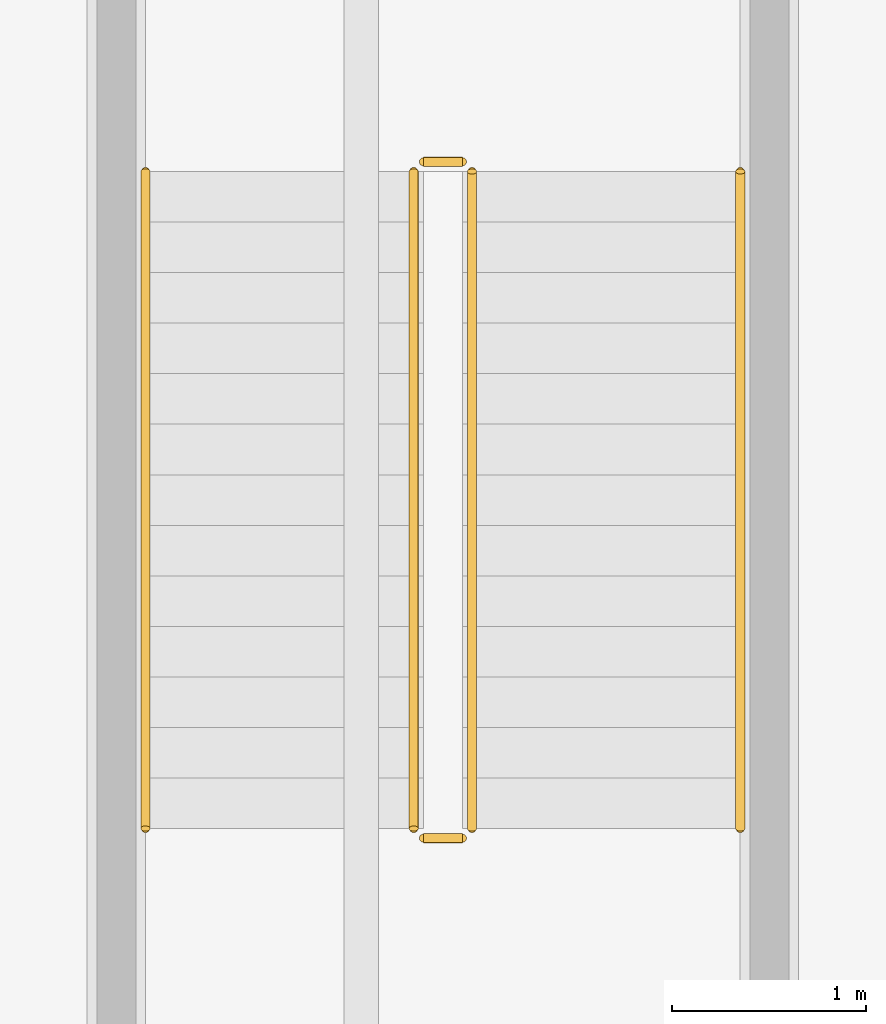
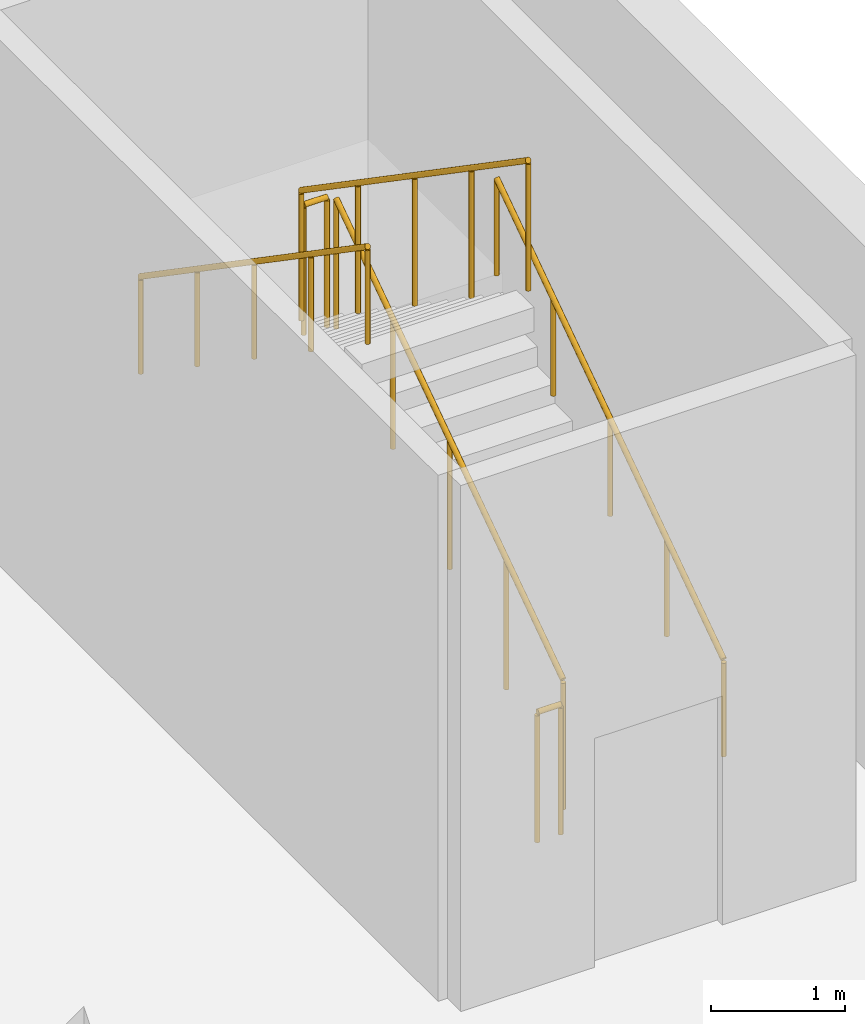
# One storey, part 18 of 18: 6 railings.
"""IFC4 building model written with IfcOpenShell, lengths in metres."""

from ifc_helpers import new_model, si_unit, direction, frame, origin, origin_2d, place, context, subcontext, project, spatial, circle, extrude, material, layer, layer_set, type_object, element, save


model = new_model("IFC4")

# Units and contexts
model_context = context("Model", 3, precision=1e-05, world=origin(), true_north=direction((0.0, 1.0)))
body_context = subcontext(model_context, "Body", "Model", "MODEL_VIEW")
ifc_project = project(units=[si_unit("LENGTHUNIT", "METRE"), si_unit("AREAUNIT", "SQUARE_METRE"), si_unit("VOLUMEUNIT", "CUBIC_METRE"), si_unit("PLANEANGLEUNIT", "RADIAN"), si_unit("MASSUNIT", "GRAM", prefix="KILO")], contexts=[model_context])

# Site, building, storey
site_placement = place(None, origin())
site = spatial("IfcSite", under=ifc_project, at=site_placement, CompositionType="ELEMENT")
building_placement = place(site_placement, origin())
building = spatial("IfcBuilding", under=site, at=building_placement, Name="Noeulbin Bourse Tower", CompositionType="ELEMENT")
storey_placement = place(building_placement, frame((0.0, 0.0, -5.0)))
storey = spatial("IfcBuildingStorey", under=building, at=storey_placement, Name="B01", CompositionType="ELEMENT", Elevation=-5.0)

# Railings
ifc_material_1 = material(Name="Painted Tubular Steel S355", Category="steel")
ifc_layer_1 = layer(ifc_material_1, 0.048095703125)
ifc_layer_set_1 = layer_set([ifc_layer_1], Name="Painted Tubular Steel S355")
railing_type_1 = type_object("IfcRailingType", Name="RLG-STR-GRD", PredefinedType="GUARDRAIL", material=ifc_layer_set_1)
railing_1_placement = place(storey_placement, frame((74.8701171875, 6.8798828125, 0.178466796875)))
element("IfcRailing", 1, at=railing_1_placement, inside=storey, type_object=railing_type_1, Name="B01 MST-1 stair guard 1", PredefinedType="GUARDRAIL", context=body_context, shape_type="SweptSolid", body=[
    extrude(circle(Radius=0.02392578125, at=origin_2d()), frame((0.0, 0.0, 1.17578125), z_axis=(0.0, 0.824304150675, 0.566147213346), x_axis=(-1.0, 0.0, 0.0)), (0.0, 0.0, 1.0), 4.1005859375),
    extrude(circle(Radius=0.02099609375, at=origin_2d()), origin(), (0.0, 0.0, 1.0), 1.15185546875),
    extrude(circle(Radius=0.02099609375, at=origin_2d()), frame((0.0, 0.844970703125, 0.580322265625)), (0.0, 0.0, 1.0), 1.15185546875),
    extrude(circle(Radius=0.02099609375, at=origin_2d()), frame((0.0, 1.68994140625, 1.16064453125)), (0.0, 0.0, 1.0), 1.15185546875),
    extrude(circle(Radius=0.02099609375, at=origin_2d()), frame((0.0, 2.53515625, 1.7412109375)), (0.0, 0.0, 1.0), 1.15185546875),
    extrude(circle(Radius=0.02099609375, at=origin_2d()), frame((0.0, 3.380126953125, 2.321533203125)), (0.0, 0.0, 1.0), 1.15185546875),
])
railing_2_placement = place(storey_placement, frame((74.820068359375, 10.31005859375, 2.5)))
element("IfcRailing", 2, at=railing_2_placement, inside=storey, type_object=railing_type_1, Name="B01 MST-1 stair guard 2", PredefinedType="GUARDRAIL", context=body_context, shape_type="SweptSolid", body=[
    extrude(circle(Radius=0.02392578125, at=origin_2d()), frame((0.0, 0.0, 1.17578125), z_axis=(-1.0, 0.0, 0.0), x_axis=(0.0, -1.0, 0.0)), (0.0, 0.0, 1.0), 0.199951171875),
    extrude(circle(Radius=0.02099609375, at=origin_2d()), origin(), (0.0, 0.0, 1.0), 1.15185546875),
    extrude(circle(Radius=0.02099609375, at=origin_2d()), frame((-0.199951171875, 0.0, 0.0)), (0.0, 0.0, 1.0), 1.15185546875),
])
railing_3_placement = place(storey_placement, frame((74.570068359375, 10.260009765625, 2.678466796875)))
element("IfcRailing", 3, at=railing_3_placement, inside=storey, type_object=railing_type_1, Name="B01 MST-1 stair guard 3", PredefinedType="GUARDRAIL", context=body_context, shape_type="SweptSolid", body=[
    extrude(circle(Radius=0.02392578125, at=origin_2d()), frame((0.0, 0.0, 1.17578125), z_axis=(0.0, -0.824304150675, 0.566147213346), x_axis=(1.0, 0.0, 0.0)), (0.0, 0.0, 1.0), 4.1005859375),
    extrude(circle(Radius=0.02099609375, at=origin_2d()), origin(), (0.0, 0.0, 1.0), 1.15185546875),
    extrude(circle(Radius=0.02099609375, at=origin_2d()), frame((0.0, -0.844970703125, 0.580322265625)), (0.0, 0.0, 1.0), 1.15185546875),
    extrude(circle(Radius=0.02099609375, at=origin_2d()), frame((0.0, -1.68994140625, 1.16064453125)), (0.0, 0.0, 1.0), 1.15185546875),
    extrude(circle(Radius=0.02099609375, at=origin_2d()), frame((0.0, -2.53515625, 1.7412109375)), (0.0, 0.0, 1.0), 1.15185546875),
    extrude(circle(Radius=0.02099609375, at=origin_2d()), frame((0.0, -3.380126953125, 2.321533203125)), (0.0, 0.0, 1.0), 1.15185546875),
])
railing_4_placement = place(storey_placement, frame((74.820068359375, 6.830078125, 0.0)))
element("IfcRailing", 4, at=railing_4_placement, inside=storey, type_object=railing_type_1, Name="B01 MST-1 stair guard 4", PredefinedType="GUARDRAIL", context=body_context, shape_type="SweptSolid", body=[
    extrude(circle(Radius=0.02392578125, at=origin_2d()), frame((0.0, 0.0, 1.17578125), z_axis=(-1.0, 0.0, 0.0), x_axis=(0.0, -1.0, 0.0)), (0.0, 0.0, 1.0), 0.199951171875),
    extrude(circle(Radius=0.02099609375, at=origin_2d()), origin(), (0.0, 0.0, 1.0), 1.15185546875),
    extrude(circle(Radius=0.02099609375, at=origin_2d()), frame((-0.199951171875, 0.0, 0.0)), (0.0, 0.0, 1.0), 1.15185546875),
])
ifc_material_2 = material(Name="Brushed Stainless Steel 316", Category="steel")
ifc_layer_2 = layer(ifc_material_2, 0.048095703125)
ifc_layer_set_2 = layer_set([ifc_layer_2], Name="Brushed Stainless Steel 316")
railing_type_2 = type_object("IfcRailingType", Name="RLG-STR-HND", PredefinedType="HANDRAIL", material=ifc_layer_set_2)
railing_5_placement = place(storey_placement, frame((76.25, 6.8798828125, 0.178466796875)))
element("IfcRailing", 5, at=railing_5_placement, inside=storey, type_object=railing_type_2, Name="B01 MST-1 stair handrail 1", PredefinedType="HANDRAIL", context=body_context, shape_type="SweptSolid", body=[
    extrude(circle(Radius=0.02392578125, at=origin_2d()), frame((0.0, 0.0, 0.8759765625), z_axis=(0.0, 0.824304150675, 0.566147213346), x_axis=(-1.0, 0.0, 0.0)), (0.0, 0.0, 1.0), 4.1005859375),
    extrude(circle(Radius=0.02099609375, at=origin_2d()), origin(), (0.0, 0.0, 1.0), 0.851806640625),
    extrude(circle(Radius=0.02099609375, at=origin_2d()), frame((0.0, 0.844970703125, 0.580322265625)), (0.0, 0.0, 1.0), 0.851806640625),
    extrude(circle(Radius=0.02099609375, at=origin_2d()), frame((0.0, 1.68994140625, 1.16064453125)), (0.0, 0.0, 1.0), 0.851806640625),
    extrude(circle(Radius=0.02099609375, at=origin_2d()), frame((0.0, 2.53515625, 1.7412109375)), (0.0, 0.0, 1.0), 0.851806640625),
    extrude(circle(Radius=0.02099609375, at=origin_2d()), frame((0.0, 3.380126953125, 2.321533203125)), (0.0, 0.0, 1.0), 0.851806640625),
])
railing_6_placement = place(storey_placement, frame((73.18994140625, 10.260009765625, 2.678466796875)))
element("IfcRailing", 6, at=railing_6_placement, inside=storey, type_object=railing_type_2, Name="B01 MST-1 stair handrail 2", PredefinedType="HANDRAIL", context=body_context, shape_type="SweptSolid", body=[
    extrude(circle(Radius=0.02392578125, at=origin_2d()), frame((0.0, 0.0, 0.8759765625), z_axis=(0.0, -0.824304150675, 0.566147213346), x_axis=(1.0, 0.0, 0.0)), (0.0, 0.0, 1.0), 4.1005859375),
    extrude(circle(Radius=0.02099609375, at=origin_2d()), origin(), (0.0, 0.0, 1.0), 0.851806640625),
    extrude(circle(Radius=0.02099609375, at=origin_2d()), frame((0.0, -0.844970703125, 0.580322265625)), (0.0, 0.0, 1.0), 0.851806640625),
    extrude(circle(Radius=0.02099609375, at=origin_2d()), frame((0.0, -1.68994140625, 1.16064453125)), (0.0, 0.0, 1.0), 0.851806640625),
    extrude(circle(Radius=0.02099609375, at=origin_2d()), frame((0.0, -2.53515625, 1.7412109375)), (0.0, 0.0, 1.0), 0.851806640625),
    extrude(circle(Radius=0.02099609375, at=origin_2d()), frame((0.0, -3.380126953125, 2.321533203125)), (0.0, 0.0, 1.0), 0.851806640625),
])

save(model, "model.ifc")
